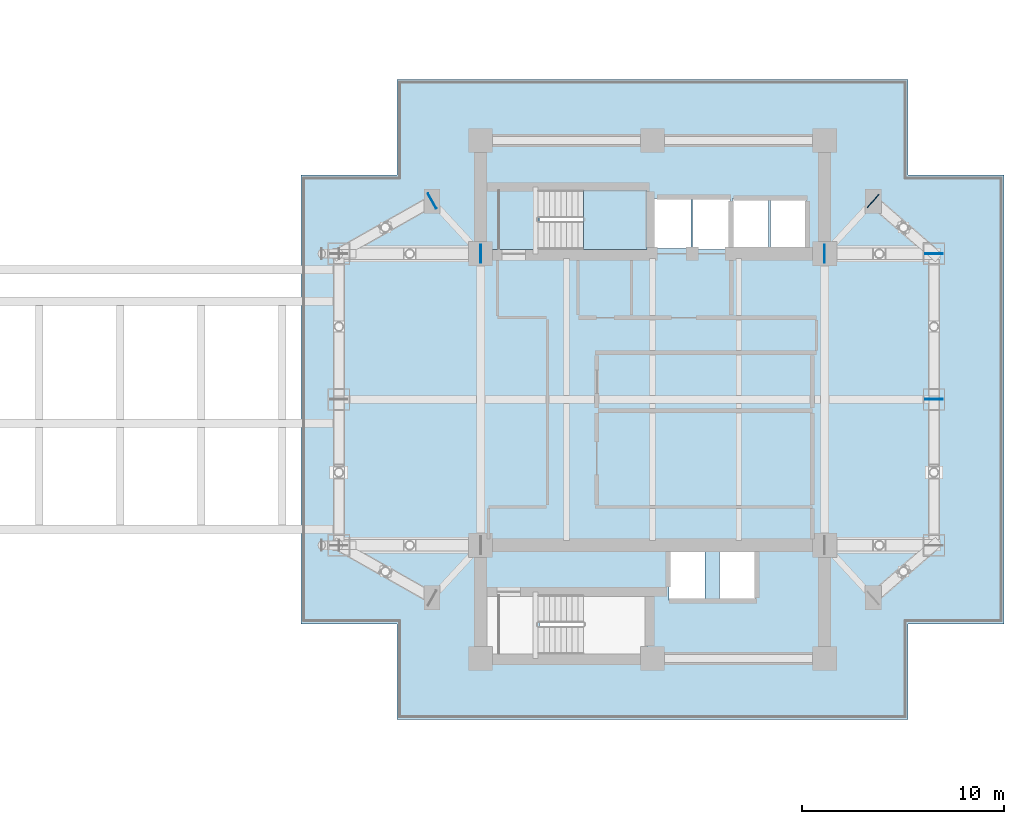
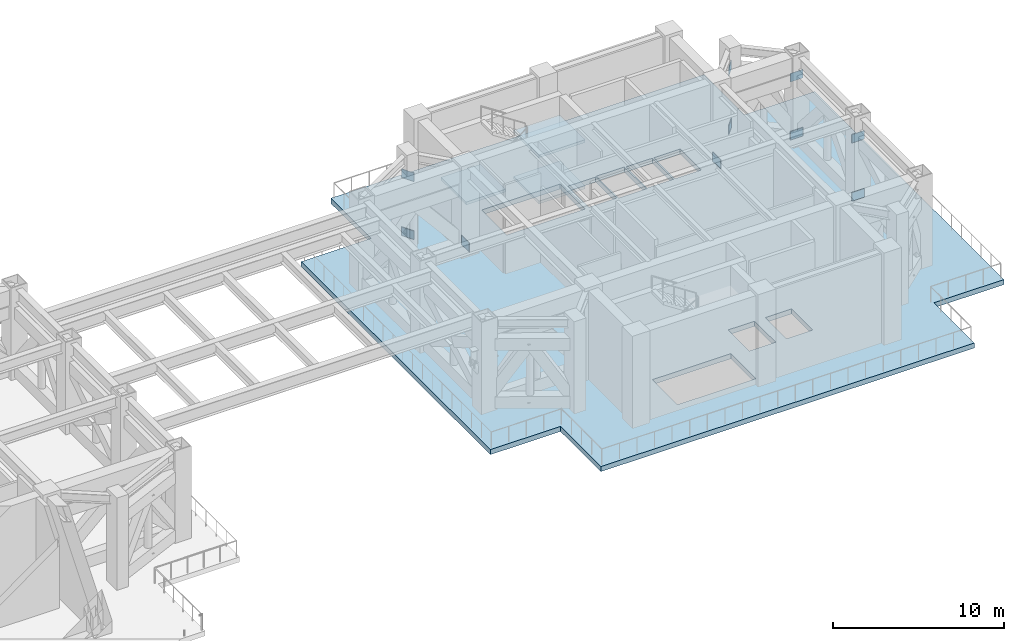
# One storey, part 8 of 21: 10 plates, 4 slabs, 1 element without a shape of its own.
"""IFC4 building model written with IfcOpenShell, lengths in metres."""

import ifcopenshell
import ifcopenshell.guid

model = None  # the IFC model being written
_history = None  # IfcOwnerHistory: only IFC2X3 demands one
_inside = {}  # id of a spatial element -> (the spatial element, [elements in it])
_under = {}  # id of a project, library or spatial element -> (it, [spatial elements below it])
_declared = {}  # id of a project -> (the project, [libraries it declares])
_typed = {}  # id of a type object -> (the type object, [elements of that type])
_made_of = {}  # id of a material, layer set ... -> (it, [elements and type objects made of it])


def new_model(schema):
    """Start an empty IFC model of exactly this schema.

    Asked for "IFC4X3", IfcOpenShell would pick the latest addendum, in which some entities
    have other attributes; the version numbers below select the first issue.
    IFC2X3 requires an IfcOwnerHistory on every rooted entity: one is made here for all.
    """
    global model, _history
    if schema == "IFC4X3":
        model = ifcopenshell.file(schema_version=(4, 3, 0, 0))
    else:
        model = ifcopenshell.file(schema=schema)
    _inside.clear()
    _under.clear()
    _declared.clear()
    _typed.clear()
    _made_of.clear()
    _history = None
    if model.schema == "IFC2X3":
        org = make("IfcOrganization", Name="unknown")
        user = make(
            "IfcPersonAndOrganization",
            ThePerson=make("IfcPerson", FamilyName="unknown"),
            TheOrganization=org,
        )
        app = make(
            "IfcApplication",
            ApplicationDeveloper=org,
            Version="unknown",
            ApplicationFullName="unknown",
            ApplicationIdentifier="unknown",
        )
        _history = make(
            "IfcOwnerHistory",
            OwningUser=user,
            OwningApplication=app,
            ChangeAction="ADDED",
            CreationDate=0,
        )
    return model


def make(cls, **values):
    """One entity of the class cls with the attributes given. An attribute that is None is left unset."""
    return model.create_entity(
        cls, **{name: value for name, value in values.items() if value is not None}
    )


def rooted(cls, **values):
    """An entity with a GlobalId (a new one), such as an element, a storey or a relation."""
    return make(cls, GlobalId=ifcopenshell.guid.new(), OwnerHistory=_history, **values)


def si_unit(unit_type, name, prefix=None):
    """IfcSIUnit, for example si_unit("LENGTHUNIT", "METRE", prefix="MILLI")."""
    return make("IfcSIUnit", UnitType=unit_type, Prefix=prefix, Name=name)


def assignment(units):
    """IfcUnitAssignment: the units of a project."""
    return None if units is None else make("IfcUnitAssignment", Units=units)


def point(xyz):
    """IfcCartesianPoint."""
    return None if xyz is None else make("IfcCartesianPoint", Coordinates=xyz)


def direction(xyz):
    """IfcDirection."""
    return None if xyz is None else make("IfcDirection", DirectionRatios=xyz)


def frame(location, z_axis=None, x_axis=None):
    """IfcAxis2Placement3D, a coordinate frame: its origin and axes. An axis left out is left unset."""
    return make(
        "IfcAxis2Placement3D",
        Location=point(location),
        Axis=direction(z_axis),
        RefDirection=direction(x_axis),
    )


def frame_2d(location, x_axis=None):
    """IfcAxis2Placement2D, a coordinate frame in the plane: its origin and x axis."""
    return make(
        "IfcAxis2Placement2D", Location=point(location), RefDirection=direction(x_axis)
    )


def origin():
    """The frame at (0, 0, 0) with its axes left unset."""
    return frame((0.0, 0.0, 0.0))


def origin_2d():
    """The frame at (0, 0) in the plane with its x axis left unset."""
    return frame_2d((0.0, 0.0))


def place(relative_to, where):
    """IfcLocalPlacement: puts the frame where relative to a parent placement (None: the world)."""
    return make(
        "IfcLocalPlacement", PlacementRelTo=relative_to, RelativePlacement=where
    )


def context(
    kind, dimensions, precision=None, world=None, true_north=None, identifier=None
):
    """IfcGeometricRepresentationContext, for example the 3D "Model" context."""
    return make(
        "IfcGeometricRepresentationContext",
        ContextIdentifier=identifier,
        ContextType=kind,
        CoordinateSpaceDimension=dimensions,
        Precision=precision,
        WorldCoordinateSystem=world,
        TrueNorth=true_north,
    )


def subcontext(parent, identifier, kind, view, scale=None):
    """IfcGeometricRepresentationSubContext, for example "Body" below "Model"."""
    return make(
        "IfcGeometricRepresentationSubContext",
        ContextIdentifier=identifier,
        ContextType=kind,
        ParentContext=parent,
        TargetScale=scale,
        TargetView=view,
    )


def project(units=None, contexts=None):
    """IfcProject with its units and contexts."""
    return rooted(
        "IfcProject",
        Name="project",
        RepresentationContexts=contexts,
        UnitsInContext=assignment(units),
    )


def spatial(cls, under=None, at=None, **own):
    """A site, building, storey or space (cls), placed at a placement, below another one or the project."""
    s = rooted(cls, ObjectPlacement=at, **own)
    if under is not None:
        _under.setdefault(under.id(), (under, []))[1].append(s)
    return s


def polyline(points):
    """IfcPolyline through the points."""
    return make("IfcPolyline", Points=[point(p) for p in points])


def profile(cls, at=None, kind="AREA", **sizes):
    """A parametric profile (cls). Its sizes go by their IFC names, for example OverallWidth=200.0."""
    return make(cls, ProfileType=kind, Position=at, **sizes)


def rectangle(**sizes):
    """IfcRectangleProfileDef."""
    return profile("IfcRectangleProfileDef", **sizes)


def outline(outer, holes=None, kind="AREA"):
    """IfcArbitraryClosedProfileDef: a profile drawn as a closed curve; with holes, ...WithVoids."""
    if holes is None:
        return make("IfcArbitraryClosedProfileDef", ProfileType=kind, OuterCurve=outer)
    return make(
        "IfcArbitraryProfileDefWithVoids",
        ProfileType=kind,
        OuterCurve=outer,
        InnerCurves=holes,
    )


def extrude(swept, where, along, depth):
    """IfcExtrudedAreaSolid: the profile swept, set in the frame where, extruded along a direction by depth."""
    return make(
        "IfcExtrudedAreaSolid",
        SweptArea=swept,
        Position=where,
        ExtrudedDirection=direction(along),
        Depth=depth,
    )


def shape(context_of_items, identifier, shape_type, items):
    """IfcShapeRepresentation: the items that make up one representation, for example the "Body"."""
    return make(
        "IfcShapeRepresentation",
        ContextOfItems=context_of_items,
        RepresentationIdentifier=identifier,
        RepresentationType=shape_type,
        Items=items,
    )


def material(Name=None, Category=None):
    """IfcMaterial."""
    return make("IfcMaterial", Name=Name, Category=Category)


def layer(
    of_material, thickness, ventilated=None, Name=None, Category=None, Priority=None
):
    """IfcMaterialLayer: one layer of a wall or slab, of a material (None: an air gap)."""
    return make(
        "IfcMaterialLayer",
        Material=of_material,
        LayerThickness=thickness,
        IsVentilated=ventilated,
        Name=Name,
        Category=Category,
        Priority=Priority,
    )


def layer_set(layers, Name=None):
    """IfcMaterialLayerSet."""
    return make("IfcMaterialLayerSet", MaterialLayers=layers, LayerSetName=Name)


def made_of(thing, what):
    """Note that an element or type object is made of a material, layer set ...; save() writes the relation."""
    if what is not None:
        _made_of.setdefault(what.id(), (what, []))[1].append(thing)
    return thing


def type_object(cls, material=None, **own):
    """A type object (cls), such as IfcWallType, which elements share."""
    return made_of(rooted(cls, **own), material)


def element(
    cls,
    number,
    at=None,
    inside=None,
    cuts=None,
    type_object=None,
    material=None,
    context=None,
    identifier="Body",
    shape_type=None,
    held_by="IfcProductDefinitionShape",
    body=None,
    shapes=None,
    **own,
):
    """One element of the class cls, such as IfcWall. Its Tag is "e" and its number.

    at: its placement. inside: the storey or other place that contains it. cuts: it is an
    opening in that element (IfcRelVoidsElement). A single representation is given by context,
    identifier, shape_type and body (its items); several are given by shapes. held_by: the class
    of the entity that holds the representations. save() writes the other relations.
    """
    e = rooted(cls, Tag="e%d" % number, ObjectPlacement=at, **own)
    if body is not None:
        shapes = [shape(context, identifier, shape_type, body)]
    if shapes is not None:
        e.Representation = make(held_by, Representations=shapes)
    if inside is not None:
        _inside.setdefault(inside.id(), (inside, []))[1].append(e)
    if cuts is not None:
        rooted(
            "IfcRelVoidsElement", RelatingBuildingElement=cuts, RelatedOpeningElement=e
        )
    if type_object is not None:
        _typed.setdefault(type_object.id(), (type_object, []))[1].append(e)
    return made_of(e, material)


def aggregate(whole, parts):
    """IfcRelAggregates: a whole, such as a stair, and the parts it consists of."""
    return rooted("IfcRelAggregates", RelatingObject=whole, RelatedObjects=parts)


def save(model, path):
    """Write the relations noted so far, then the file.

    IfcRelAggregates (storeys below a building ...), IfcRelContainedInSpatialStructure (elements
    in a storey), IfcRelDefinesByType, IfcRelAssociatesMaterial and IfcRelDeclares: one each for
    every whole, place, type object, material and project.
    """
    for whole, parts in _under.values():
        aggregate(whole, parts)
    for where, things in _inside.values():
        rooted(
            "IfcRelContainedInSpatialStructure",
            RelatedElements=things,
            RelatingStructure=where,
        )
    for kind, things in _typed.values():
        rooted("IfcRelDefinesByType", RelatedObjects=things, RelatingType=kind)
    for what, things in _made_of.values():
        rooted("IfcRelAssociatesMaterial", RelatedObjects=things, RelatingMaterial=what)
    for by, libraries in _declared.values():
        rooted("IfcRelDeclares", RelatingContext=by, RelatedDefinitions=libraries)
    model.write(path)


model = new_model("IFC4")

# Units and contexts
model_context = context("Model", 3, precision=1e-05, world=origin(), true_north=direction((0.0, 1.0)))
body_context = subcontext(model_context, "Body", "Model", "MODEL_VIEW")
ifc_project = project(units=[si_unit("LENGTHUNIT", "METRE"), si_unit("AREAUNIT", "SQUARE_METRE"), si_unit("VOLUMEUNIT", "CUBIC_METRE"), si_unit("PLANEANGLEUNIT", "RADIAN"), si_unit("MASSUNIT", "GRAM", prefix="KILO")], contexts=[model_context])

# Site, building, storey
site_placement = place(None, origin())
site = spatial("IfcSite", under=ifc_project, at=site_placement, CompositionType="ELEMENT")
building_placement = place(site_placement, origin())
building = spatial("IfcBuilding", under=site, at=building_placement, Name="Mirazonda Arch Towers", CompositionType="ELEMENT")
storey_placement = place(building_placement, frame((0.0, 0.0, 81.800048828125)))
storey = spatial("IfcBuildingStorey", under=building, at=storey_placement, Name="L23", CompositionType="ELEMENT", Elevation=81.800048828125)

# Plates
ifc_material_1 = material(Name="Steel ASTM A572 Grade 50", Category="steel")
ifc_layer_1 = layer(ifc_material_1, 0.035888671875, Name="PLATE-CAP-850x600x36")
ifc_layer_set_1 = layer_set([ifc_layer_1], Name="Steel ASTM A572 Grade 50")
plate_type_1 = type_object("IfcPlateType", Name="PLATE-CAP-850x600x36", PredefinedType="USERDEFINED", material=ifc_layer_set_1)
for number, where, z_axis, x_axis, name in (
    (1, (90.39990234375, 28.008056640625, 0.25), (0.0, 0.0, 1.0), (0.0, 1.0, 0.0), "Steel end closure plate NP-BLT-L23-T2-BC03B"),
    (2, (90.39990234375, 28.008056640625, 4.39990234375), (0.0, 0.0, 1.0), (0.0, 1.0, 0.0), "Steel end closure plate NP-BLT-L23-T2-TC03B"),
    (3, (90.39990234375, 35.2080078125, 0.25), (0.0, 0.0, 1.0), (0.0, 1.0, 0.0), "Steel end closure plate NP-BLT-L23-T2-BC04B"),
    (4, (90.39990234375, 35.2080078125, 4.39990234375), (0.0, 0.0, 1.0), (0.0, 1.0, 0.0), "Steel end closure plate NP-BLT-L23-T2-TC04B"),
    (5, (65.60693359375, 37.803955078125, 0.25), (0.0, 0.0, 1.0), (0.87052753116, 0.492119718658, 0.0), "Steel end closure plate NP-BLT-L23-T2-BC07B"),
    (6, (65.60693359375, 37.803955078125, 4.39990234375), (0.0, 0.0, 1.0), (0.87052753116, 0.492119718658, 0.0), "Steel end closure plate NP-BLT-L23-T2-TC07B"),
    (7, (87.39404296875, 37.80517578125, 0.25), (0.0, 0.0, 1.0), (-0.755739183826, 0.654872725061, 0.0), "Steel end closure plate NP-BLT-L23-T2-BC08A"),
    (8, (87.39404296875, 37.80517578125, 4.39990234375), (0.0, 0.0, 1.0), (-0.755739183826, 0.654872725061, 0.0), "Steel end closure plate NP-BLT-L23-T2-TC08A"),
):
    element("IfcPlate", number, at=place(storey_placement, frame(where, z_axis=z_axis, x_axis=x_axis)), inside=storey, type_object=plate_type_1, Name=name, ObjectType="CAP PLATE", PredefinedType="USERDEFINED", context=body_context, shape_type="SweptSolid", body=[
        extrude(rectangle(XDim=0.0400390625, YDim=0.85009765625, at=origin_2d()), origin(), (0.0, 0.0, 1.0), 0.60009765625),
    ])
ifc_layer_2 = layer(ifc_material_1, 0.031982421875, Name="PLATE-GUSSET-900x650x32")
ifc_layer_set_2 = layer_set([ifc_layer_2], Name="Steel ASTM A572 Grade 50")
plate_type_2 = type_object("IfcPlateType", Name="PLATE-GUSSET-900x650x32", PredefinedType="USERDEFINED", material=ifc_layer_set_2)
for number, where, z_axis, x_axis, name in (
    (9, (68.005126953125, 35.199951171875, 0.218994140625), (0.0, 0.0, 1.0), (1.0, 0.0, 0.0), "Steel end closure plate NP-OUT-L23-T2-DG03B0"),
    (10, (84.99560546875, 35.199951171875, 0.21826171875), (0.0, 0.0, 1.0), (-1.0, 0.0, 0.0), "Steel end closure plate NP-OUT-L23-T2-DG04A0"),
):
    element("IfcPlate", number, at=place(storey_placement, frame(where, z_axis=z_axis, x_axis=x_axis)), inside=storey, type_object=plate_type_2, Name=name, ObjectType="GUSSET_PLATE", PredefinedType="USERDEFINED", context=body_context, shape_type="SweptSolid", body=[
        extrude(rectangle(XDim=0.0400390625, YDim=0.89990234375, at=origin_2d()), origin(), (0.0, 0.0, 1.0), 0.64990234375),
    ])

# Stair, slabs
ifc_material_2 = material(Name="Concrete C40/50", Category="concrete")
stair_type = type_object("IfcStairType", Name="STAIR-CORE-1400", PredefinedType="HALF_TURN_STAIR", material=ifc_material_2)
stair_placement = place(storey_placement, origin())
stair = element("IfcStair", 11, at=stair_placement, inside=storey, type_object=stair_type, Name="L23 Protected Exit Stair ST-T2N", PredefinedType="HALF_TURN_STAIR")
ifc_layer_3 = layer(ifc_material_2, 0.18994140625, Name="SLAB-LANDING-190")
ifc_layer_set_3 = layer_set([ifc_layer_3], Name="Concrete C40/50")
slab_type_1 = type_object("IfcSlabType", Name="SLAB-LANDING-190", PredefinedType="LANDING", material=ifc_layer_set_3)
slab_1_placement = place(storey_placement, frame((0.0, 0.0, 1.449951171875)))
slab_1 = element("IfcSlab", 12, at=slab_1_placement, type_object=slab_type_1, Name="ST-T2N landing 1", PredefinedType="LANDING", context=body_context, shape_type="SweptSolid", body=[
    extrude(outline(polyline([(73.090087890625, 35.419921875), (76.22998046875, 35.419921875), (76.22998046875, 38.360107421875), (73.090087890625, 38.360107421875), (73.090087890625, 35.419921875)])), origin(), (0.0, 0.0, 1.0), 0.199951171875),
])
slab_2_placement = place(storey_placement, frame((0.0, 0.0, 3.099853515625)))
slab_2 = element("IfcSlab", 13, at=slab_2_placement, type_object=slab_type_1, Name="ST-T2N landing 2", PredefinedType="LANDING", context=body_context, shape_type="SweptSolid", body=[
    extrude(outline(polyline([(68.179931640625, 35.419921875), (70.85009765625, 35.419921875), (70.85009765625, 38.360107421875), (68.179931640625, 38.360107421875), (68.179931640625, 35.419921875)])), origin(), (0.0, 0.0, 1.0), 0.2001953125),
])
slab_3_placement = place(storey_placement, frame((0.0, 0.0, 4.75)))
slab_3 = element("IfcSlab", 14, at=slab_3_placement, type_object=slab_type_1, Name="ST-T2N landing 3", PredefinedType="LANDING", context=body_context, shape_type="SweptSolid", body=[
    extrude(outline(polyline([(73.090087890625, 35.419921875), (76.22998046875, 35.419921875), (76.22998046875, 38.360107421875), (73.090087890625, 38.360107421875), (73.090087890625, 35.419921875)])), origin(), (0.0, 0.0, 1.0), 0.199951171875),
])
aggregate(stair, [slab_1, slab_2, slab_3])

# Slab
ifc_material_3 = material(Name="Concrete C50/60", Category="concrete")
ifc_layer_4 = layer(ifc_material_3, 0.360107421875, Name="SLAB-PORTAL-360")
ifc_layer_set_4 = layer_set([ifc_layer_4], Name="Concrete C50/60")
slab_type_2 = type_object("IfcSlabType", Name="SLAB-PORTAL-360", PredefinedType="FLOOR", material=ifc_layer_set_4)
slab_4_placement = place(storey_placement, frame((0.0, 0.0, -0.360107421875)))
element("IfcSlab", 15, at=slab_4_placement, inside=storey, type_object=slab_type_2, Name="L23 Tower 2 Wind-Portal Deck Slab", PredefinedType="FLOOR", context=body_context, shape_type="SweptSolid", body=[
    extrude(outline(polyline([(63.873779296875, 12.1826171875), (89.126220703125, 12.1826171875), (89.126220703125, 16.918701171875), (93.862548828125, 16.918701171875), (93.862548828125, 39.081298828125), (89.126220703125, 39.081298828125), (89.126220703125, 43.8173828125), (63.873779296875, 43.8173828125), (63.873779296875, 39.081298828125), (59.137451171875, 39.081298828125), (59.137451171875, 16.918701171875), (63.873779296875, 16.918701171875), (63.873779296875, 12.1826171875)]), holes=[polyline([(82.330078125, 37.93994140625), (84.110107421875, 37.93994140625), (84.110107421875, 35.4599609375), (82.330078125, 35.4599609375), (82.330078125, 37.93994140625)]), polyline([(80.449951171875, 37.93994140625), (82.22998046875, 37.93994140625), (82.22998046875, 35.4599609375), (80.449951171875, 35.4599609375), (80.449951171875, 37.93994140625)]), polyline([(79.81005859375, 20.5400390625), (81.590087890625, 20.5400390625), (81.590087890625, 18.06005859375), (79.81005859375, 18.06005859375), (79.81005859375, 20.5400390625)]), polyline([(78.47998046875, 37.989990234375), (80.360107421875, 37.989990234375), (80.360107421875, 35.409912109375), (78.47998046875, 35.409912109375), (78.47998046875, 37.989990234375)]), polyline([(77.31005859375, 20.5400390625), (79.090087890625, 20.5400390625), (79.090087890625, 18.06005859375), (77.31005859375, 18.06005859375), (77.31005859375, 20.5400390625)]), polyline([(76.510009765625, 37.93994140625), (78.389892578125, 37.93994140625), (78.389892578125, 35.4599609375), (76.510009765625, 35.4599609375), (76.510009765625, 37.93994140625)]), polyline([(70.925048828125, 15.419921875), (70.925048828125, 18.360107421875), (76.22998046875, 18.360107421875), (76.22998046875, 15.419921875), (70.925048828125, 15.419921875)]), polyline([(70.925048828125, 35.419921875), (70.925048828125, 38.360107421875), (76.22998046875, 38.360107421875), (76.22998046875, 35.419921875), (70.925048828125, 35.419921875)])]), origin(), (0.0, 0.0, 1.0), 0.360107421875),
])

save(model, "model.ifc")
